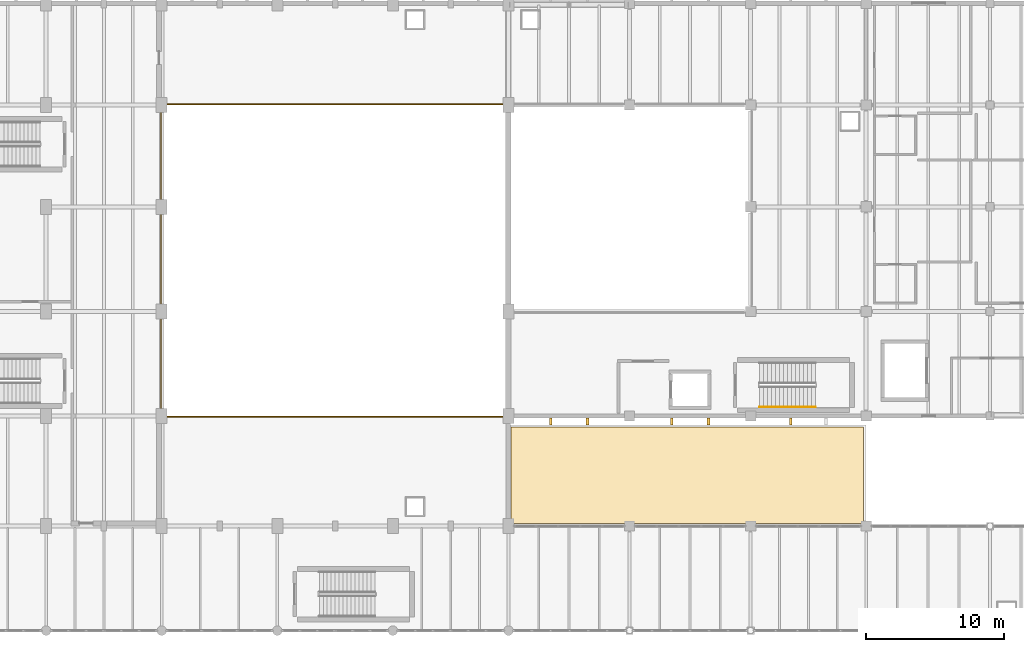
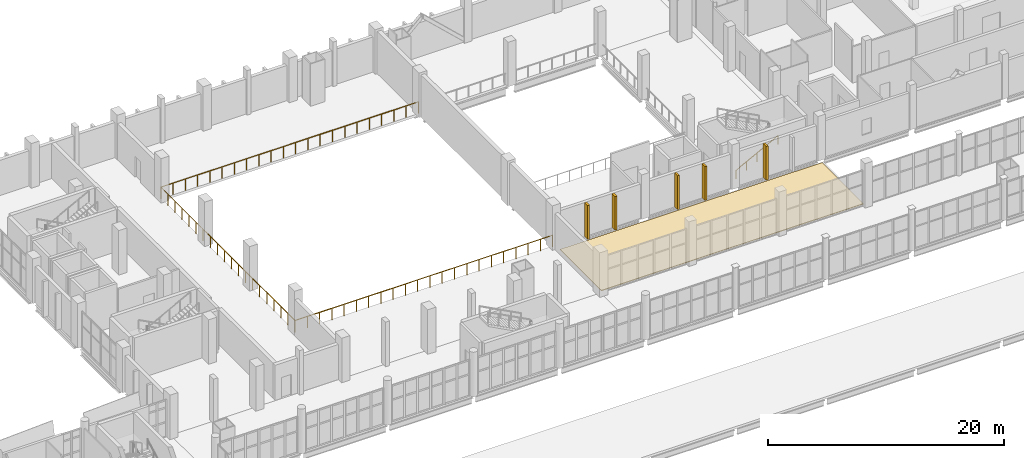
# One storey, part 131 of 136: 5 shading devices, 2 railings, 1 covering.
"""IFC4 building model written with IfcOpenShell, lengths in metres."""

from ifc_helpers import new_model, si_unit, direction, frame, origin, origin_2d, place, context, subcontext, project, spatial, polyline, rectangle, circle, outline, extrude, material, layer, layer_set, type_object, element, save


model = new_model("IFC4")

# Units and contexts
model_context = context("Model", 3, precision=1e-05, world=origin(), true_north=direction((0.0, 1.0)))
body_context = subcontext(model_context, "Body", "Model", "MODEL_VIEW")
ifc_project = project(units=[si_unit("LENGTHUNIT", "METRE"), si_unit("AREAUNIT", "SQUARE_METRE"), si_unit("VOLUMEUNIT", "CUBIC_METRE"), si_unit("PLANEANGLEUNIT", "RADIAN"), si_unit("MASSUNIT", "GRAM", prefix="KILO")], contexts=[model_context])

# Site, building, storey
site_placement = place(None, origin())
site = spatial("IfcSite", under=ifc_project, at=site_placement, CompositionType="ELEMENT")
building_placement = place(site_placement, origin())
building = spatial("IfcBuilding", under=site, at=building_placement, Name="Shengluoqiao Park Theatre", CompositionType="ELEMENT")
storey_placement = place(building_placement, frame((0.0, 0.0, 10.0)))
storey = spatial("IfcBuildingStorey", under=building, at=storey_placement, Name="L02", CompositionType="ELEMENT", Elevation=10.0)

# Covering
ifc_material_1 = material(Name="TPO roofing membrane")
ifc_layer_1 = layer(ifc_material_1, 0.06494140625, Name="TPO roofing membrane")
ifc_layer_set_1 = layer_set([ifc_layer_1], Name="TPO roofing membrane")
covering_type = type_object("IfcCoveringType", Name="ENV-COV-RFMEM", PredefinedType="ROOFING", material=ifc_layer_set_1)
covering_placement = place(storey_placement, origin())
element("IfcCovering", 1, at=covering_placement, inside=storey, type_object=covering_type, Name="Acoustic Roof Membrane COV-RF-V2SSTG", PredefinedType="ROOFING", context=body_context, shape_type="SweptSolid", body=[
    extrude(outline(polyline([(86.60009765625, 76.199951171875), (112.199951171875, 76.199951171875), (112.199951171875, 83.199951171875), (86.60009765625, 83.199951171875), (86.60009765625, 76.199951171875)])), origin(), (0.0, 0.0, 1.0), 0.06494140625),
])

# Shading devices
ifc_material_2 = material(Name="Concrete C45", Category="concrete")
ifc_layer_2 = layer(ifc_material_2, 0.199951171875, Name="Concrete C45")
ifc_layer_set_2 = layer_set([ifc_layer_2], Name="Concrete C45")
shading_device_type = type_object("IfcShadingDeviceType", Name="ENV-FIN-520x200", PredefinedType="USERDEFINED", material=ifc_layer_set_2)
for number, where, z_axis, x_axis, name in (
    (2, (89.476318359375, 83.60009765625, 0.02001953125), (0.0, 0.0, 1.0), (0.0, -1.0, 0.0), "L02 Vertical Concrete Acoustic Rib 0078"),
    (3, (92.148681640625, 83.60009765625, 0.02001953125), (0.0, 0.0, 1.0), (0.0, -1.0, 0.0), "L02 Vertical Concrete Acoustic Rib 0079"),
):
    element("IfcShadingDevice", number, at=place(storey_placement, frame(where, z_axis=z_axis, x_axis=x_axis)), inside=storey, type_object=shading_device_type, Name=name, ObjectType="FIN", PredefinedType="USERDEFINED", context=body_context, shape_type="SweptSolid", body=[
        extrude(rectangle(XDim=0.52001953125, YDim=0.199951171875, at=origin_2d()), origin(), (0.0, 0.0, 1.0), 3.488037109375),
    ])
for number, where, z_axis, x_axis, name in (
    (4, (98.259765625, 83.60009765625, 0.02001953125), (0.0, 0.0, 1.0), (0.0, -1.0, 0.0), "L02 Vertical Concrete Acoustic Rib 0080"),
    (5, (100.940185546875, 83.60009765625, 0.02001953125), (0.0, 0.0, 1.0), (0.0, -1.0, 0.0), "L02 Vertical Concrete Acoustic Rib 0081"),
    (6, (106.92626953125, 83.60009765625, 0.02001953125), (0.0, 0.0, 1.0), (0.0, -1.0, 0.0), "L02 Vertical Concrete Acoustic Rib 0082"),
):
    element("IfcShadingDevice", number, at=place(storey_placement, frame(where, z_axis=z_axis, x_axis=x_axis)), inside=storey, type_object=shading_device_type, Name=name, ObjectType="FIN", PredefinedType="USERDEFINED", context=body_context, shape_type="SweptSolid", body=[
        extrude(rectangle(XDim=0.52001953125, YDim=0.199951171875, at=origin_2d()), origin(), (0.0, 0.0, 1.0), 3.498046875),
    ])

# Railings
ifc_material_3 = material(Name="Acoustic timber", Category="wood")
railing_type_1 = type_object("IfcRailingType", Name="INT-RL-BAL120", PredefinedType="BALUSTRADE", material=ifc_material_3)
railing_1_placement = place(storey_placement, frame((86.300048828125, 83.93994140625, 0.0)))
element("IfcRailing", 7, at=railing_1_placement, inside=storey, type_object=railing_type_1, Name="L02 Second Balcony and Slip Front Balustrade 0022", PredefinedType="BALUSTRADE", context=body_context, shape_type="SweptSolid", body=[
    extrude(circle(Radius=0.02392578125, at=origin_2d()), frame((0.0, 0.0, 1.17578125), z_axis=(-1.0, 0.0, 0.0), x_axis=(0.0, -1.0, 0.0)), (0.0, 0.0, 1.0), 25.16015625),
    extrude(circle(Radius=0.02392578125, at=origin_2d()), frame((-25.16015625, 0.0, 1.17578125), z_axis=(0.0, 1.0, 0.0), x_axis=(-1.0, 0.0, 0.0)), (0.0, 0.0, 1.0), 22.719970703125),
    extrude(circle(Radius=0.02392578125, at=origin_2d()), frame((-25.16015625, 22.719970703125, 1.17578125), z_axis=(1.0, 0.0, 0.0), x_axis=(0.0, 1.0, 0.0)), (0.0, 0.0, 1.0), 25.16015625),
    extrude(circle(Radius=0.02099609375, at=origin_2d()), origin(), (0.0, 0.0, 1.0), 1.15185546875),
    extrude(circle(Radius=0.02099609375, at=origin_2d()), frame((-1.197998046875, 0.0, 0.0)), (0.0, 0.0, 1.0), 1.15185546875),
    extrude(circle(Radius=0.02099609375, at=origin_2d()), frame((-2.396240234375, 0.0, 0.0)), (0.0, 0.0, 1.0), 1.15185546875),
    extrude(circle(Radius=0.02099609375, at=origin_2d()), frame((-3.59423828125, 0.0, 0.0)), (0.0, 0.0, 1.0), 1.15185546875),
    extrude(circle(Radius=0.02099609375, at=origin_2d()), frame((-4.79248046875, 0.0, 0.0)), (0.0, 0.0, 1.0), 1.15185546875),
    extrude(circle(Radius=0.02099609375, at=origin_2d()), frame((-5.990478515625, 0.0, 0.0)), (0.0, 0.0, 1.0), 1.15185546875),
    extrude(circle(Radius=0.02099609375, at=origin_2d()), frame((-7.188720703125, 0.0, 0.0)), (0.0, 0.0, 1.0), 1.15185546875),
    extrude(circle(Radius=0.02099609375, at=origin_2d()), frame((-8.38671875, 0.0, 0.0)), (0.0, 0.0, 1.0), 1.15185546875),
    extrude(circle(Radius=0.02099609375, at=origin_2d()), frame((-9.584716796875, 0.0, 0.0)), (0.0, 0.0, 1.0), 1.15185546875),
    extrude(circle(Radius=0.02099609375, at=origin_2d()), frame((-10.782958984375, 0.0, 0.0)), (0.0, 0.0, 1.0), 1.15185546875),
    extrude(circle(Radius=0.02099609375, at=origin_2d()), frame((-11.98095703125, 0.0, 0.0)), (0.0, 0.0, 1.0), 1.15185546875),
    extrude(circle(Radius=0.02099609375, at=origin_2d()), frame((-13.17919921875, 0.0, 0.0)), (0.0, 0.0, 1.0), 1.15185546875),
    extrude(circle(Radius=0.02099609375, at=origin_2d()), frame((-14.377197265625, 0.0, 0.0)), (0.0, 0.0, 1.0), 1.15185546875),
    extrude(circle(Radius=0.02099609375, at=origin_2d()), frame((-15.575439453125, 0.0, 0.0)), (0.0, 0.0, 1.0), 1.15185546875),
    extrude(circle(Radius=0.02099609375, at=origin_2d()), frame((-16.7734375, 0.0, 0.0)), (0.0, 0.0, 1.0), 1.15185546875),
    extrude(circle(Radius=0.02099609375, at=origin_2d()), frame((-17.971435546875, 0.0, 0.0)), (0.0, 0.0, 1.0), 1.15185546875),
    extrude(circle(Radius=0.02099609375, at=origin_2d()), frame((-19.169677734375, 0.0, 0.0)), (0.0, 0.0, 1.0), 1.15185546875),
    extrude(circle(Radius=0.02099609375, at=origin_2d()), frame((-20.36767578125, 0.0, 0.0)), (0.0, 0.0, 1.0), 1.15185546875),
    extrude(circle(Radius=0.02099609375, at=origin_2d()), frame((-21.56591796875, 0.0, 0.0)), (0.0, 0.0, 1.0), 1.15185546875),
    extrude(circle(Radius=0.02099609375, at=origin_2d()), frame((-22.763916015625, 0.0, 0.0)), (0.0, 0.0, 1.0), 1.15185546875),
    extrude(circle(Radius=0.02099609375, at=origin_2d()), frame((-23.962158203125, 0.0, 0.0)), (0.0, 0.0, 1.0), 1.15185546875),
    extrude(circle(Radius=0.02099609375, at=origin_2d()), frame((-25.16015625, 0.0, 0.0)), (0.0, 0.0, 1.0), 1.15185546875),
    extrude(circle(Radius=0.02099609375, at=origin_2d()), frame((-25.16015625, 1.19580078125, 0.0)), (0.0, 0.0, 1.0), 1.15185546875),
    extrude(circle(Radius=0.02099609375, at=origin_2d()), frame((-25.16015625, 2.3916015625, 0.0)), (0.0, 0.0, 1.0), 1.15185546875),
    extrude(circle(Radius=0.02099609375, at=origin_2d()), frame((-25.16015625, 3.58740234375, 0.0)), (0.0, 0.0, 1.0), 1.15185546875),
    extrude(circle(Radius=0.02099609375, at=origin_2d()), frame((-25.16015625, 4.783203125, 0.0)), (0.0, 0.0, 1.0), 1.15185546875),
    extrude(circle(Radius=0.02099609375, at=origin_2d()), frame((-25.16015625, 5.97900390625, 0.0)), (0.0, 0.0, 1.0), 1.15185546875),
    extrude(circle(Radius=0.02099609375, at=origin_2d()), frame((-25.16015625, 7.1748046875, 0.0)), (0.0, 0.0, 1.0), 1.15185546875),
    extrude(circle(Radius=0.02099609375, at=origin_2d()), frame((-25.16015625, 8.37060546875, 0.0)), (0.0, 0.0, 1.0), 1.15185546875),
    extrude(circle(Radius=0.02099609375, at=origin_2d()), frame((-25.16015625, 9.56640625, 0.0)), (0.0, 0.0, 1.0), 1.15185546875),
    extrude(circle(Radius=0.02099609375, at=origin_2d()), frame((-25.16015625, 10.76220703125, 0.0)), (0.0, 0.0, 1.0), 1.15185546875),
    extrude(circle(Radius=0.02099609375, at=origin_2d()), frame((-25.16015625, 11.957763671875, 0.0)), (0.0, 0.0, 1.0), 1.15185546875),
    extrude(circle(Radius=0.02099609375, at=origin_2d()), frame((-25.16015625, 13.153564453125, 0.0)), (0.0, 0.0, 1.0), 1.15185546875),
    extrude(circle(Radius=0.02099609375, at=origin_2d()), frame((-25.16015625, 14.349365234375, 0.0)), (0.0, 0.0, 1.0), 1.15185546875),
    extrude(circle(Radius=0.02099609375, at=origin_2d()), frame((-25.16015625, 15.545166015625, 0.0)), (0.0, 0.0, 1.0), 1.15185546875),
    extrude(circle(Radius=0.02099609375, at=origin_2d()), frame((-25.16015625, 16.740966796875, 0.0)), (0.0, 0.0, 1.0), 1.15185546875),
    extrude(circle(Radius=0.02099609375, at=origin_2d()), frame((-25.16015625, 17.936767578125, 0.0)), (0.0, 0.0, 1.0), 1.15185546875),
    extrude(circle(Radius=0.02099609375, at=origin_2d()), frame((-25.16015625, 19.132568359375, 0.0)), (0.0, 0.0, 1.0), 1.15185546875),
    extrude(circle(Radius=0.02099609375, at=origin_2d()), frame((-25.16015625, 20.328369140625, 0.0)), (0.0, 0.0, 1.0), 1.15185546875),
    extrude(circle(Radius=0.02099609375, at=origin_2d()), frame((-25.16015625, 21.524169921875, 0.0)), (0.0, 0.0, 1.0), 1.15185546875),
    extrude(circle(Radius=0.02099609375, at=origin_2d()), frame((-25.16015625, 22.719970703125, 0.0)), (0.0, 0.0, 1.0), 1.15185546875),
    extrude(circle(Radius=0.02099609375, at=origin_2d()), frame((-23.962158203125, 22.719970703125, 0.0)), (0.0, 0.0, 1.0), 1.15185546875),
    extrude(circle(Radius=0.02099609375, at=origin_2d()), frame((-22.763916015625, 22.719970703125, 0.0)), (0.0, 0.0, 1.0), 1.15185546875),
    extrude(circle(Radius=0.02099609375, at=origin_2d()), frame((-21.56591796875, 22.719970703125, 0.0)), (0.0, 0.0, 1.0), 1.15185546875),
    extrude(circle(Radius=0.02099609375, at=origin_2d()), frame((-20.36767578125, 22.719970703125, 0.0)), (0.0, 0.0, 1.0), 1.15185546875),
    extrude(circle(Radius=0.02099609375, at=origin_2d()), frame((-19.169677734375, 22.719970703125, 0.0)), (0.0, 0.0, 1.0), 1.15185546875),
    extrude(circle(Radius=0.02099609375, at=origin_2d()), frame((-17.971435546875, 22.719970703125, 0.0)), (0.0, 0.0, 1.0), 1.15185546875),
    extrude(circle(Radius=0.02099609375, at=origin_2d()), frame((-16.7734375, 22.719970703125, 0.0)), (0.0, 0.0, 1.0), 1.15185546875),
    extrude(circle(Radius=0.02099609375, at=origin_2d()), frame((-15.575439453125, 22.719970703125, 0.0)), (0.0, 0.0, 1.0), 1.15185546875),
    extrude(circle(Radius=0.02099609375, at=origin_2d()), frame((-14.377197265625, 22.719970703125, 0.0)), (0.0, 0.0, 1.0), 1.15185546875),
    extrude(circle(Radius=0.02099609375, at=origin_2d()), frame((-13.17919921875, 22.719970703125, 0.0)), (0.0, 0.0, 1.0), 1.15185546875),
    extrude(circle(Radius=0.02099609375, at=origin_2d()), frame((-11.98095703125, 22.719970703125, 0.0)), (0.0, 0.0, 1.0), 1.15185546875),
    extrude(circle(Radius=0.02099609375, at=origin_2d()), frame((-10.782958984375, 22.719970703125, 0.0)), (0.0, 0.0, 1.0), 1.15185546875),
    extrude(circle(Radius=0.02099609375, at=origin_2d()), frame((-9.584716796875, 22.719970703125, 0.0)), (0.0, 0.0, 1.0), 1.15185546875),
    extrude(circle(Radius=0.02099609375, at=origin_2d()), frame((-8.38671875, 22.719970703125, 0.0)), (0.0, 0.0, 1.0), 1.15185546875),
    extrude(circle(Radius=0.02099609375, at=origin_2d()), frame((-7.188720703125, 22.719970703125, 0.0)), (0.0, 0.0, 1.0), 1.15185546875),
    extrude(circle(Radius=0.02099609375, at=origin_2d()), frame((-5.990478515625, 22.719970703125, 0.0)), (0.0, 0.0, 1.0), 1.15185546875),
    extrude(circle(Radius=0.02099609375, at=origin_2d()), frame((-4.79248046875, 22.719970703125, 0.0)), (0.0, 0.0, 1.0), 1.15185546875),
    extrude(circle(Radius=0.02099609375, at=origin_2d()), frame((-3.59423828125, 22.719970703125, 0.0)), (0.0, 0.0, 1.0), 1.15185546875),
    extrude(circle(Radius=0.02099609375, at=origin_2d()), frame((-2.396240234375, 22.719970703125, 0.0)), (0.0, 0.0, 1.0), 1.15185546875),
    extrude(circle(Radius=0.02099609375, at=origin_2d()), frame((-1.197998046875, 22.719970703125, 0.0)), (0.0, 0.0, 1.0), 1.15185546875),
    extrude(circle(Radius=0.02099609375, at=origin_2d()), frame((0.0, 22.719970703125, 0.0)), (0.0, 0.0, 1.0), 1.15185546875),
])
ifc_material_4 = material(Name="Stainless steel 304", Category="steel")
railing_type_2 = type_object("IfcRailingType", Name="INT-RL-STHR", PredefinedType="HANDRAIL", material=ifc_material_4)
railing_2_placement = place(storey_placement, frame((104.64990234375, 84.64990234375, 0.1533203125)))
element("IfcRailing", 8, at=railing_2_placement, inside=storey, type_object=railing_type_2, Name="L02 ST-05 stair handrail 1", PredefinedType="HANDRAIL", context=body_context, shape_type="SweptSolid", body=[
    extrude(circle(Radius=0.02392578125, at=origin_2d()), frame((0.0, 0.0, 0.8759765625), z_axis=(0.884032182968, 0.0, 0.46742603637), x_axis=(0.0, 1.0, 0.0)), (0.0, 0.0, 1.0), 4.5927734375),
    extrude(circle(Radius=0.02099609375, at=origin_2d()), origin(), (0.0, 0.0, 1.0), 0.851806640625),
    extrude(circle(Radius=0.02099609375, at=origin_2d()), frame((1.01513671875, 0.0, 0.53662109375)), (0.0, 0.0, 1.0), 0.851806640625),
    extrude(circle(Radius=0.02099609375, at=origin_2d()), frame((2.030029296875, 0.0, 1.0732421875)), (0.0, 0.0, 1.0), 0.851806640625),
    extrude(circle(Radius=0.02099609375, at=origin_2d()), frame((3.044921875, 0.0, 1.610107421875)), (0.0, 0.0, 1.0), 0.851806640625),
    extrude(circle(Radius=0.02099609375, at=origin_2d()), frame((4.06005859375, 0.0, 2.146728515625)), (0.0, 0.0, 1.0), 0.851806640625),
])

save(model, "model.ifc")
